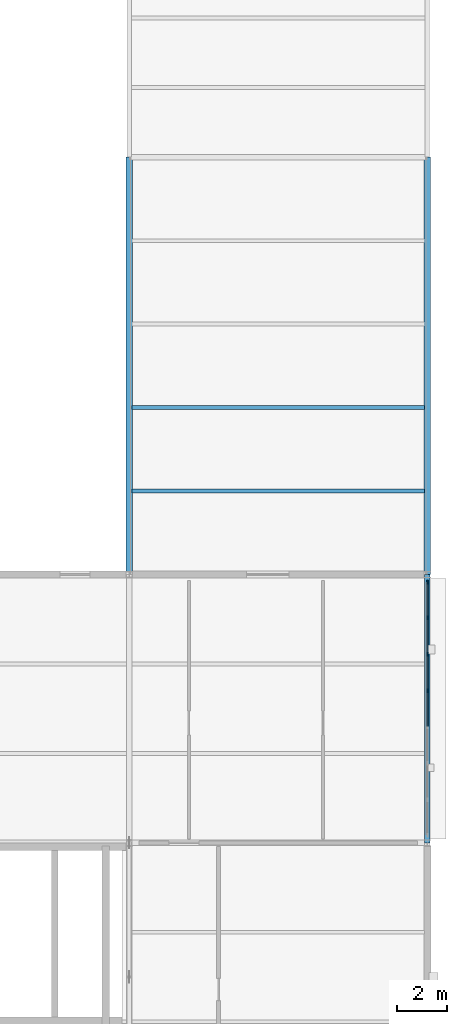
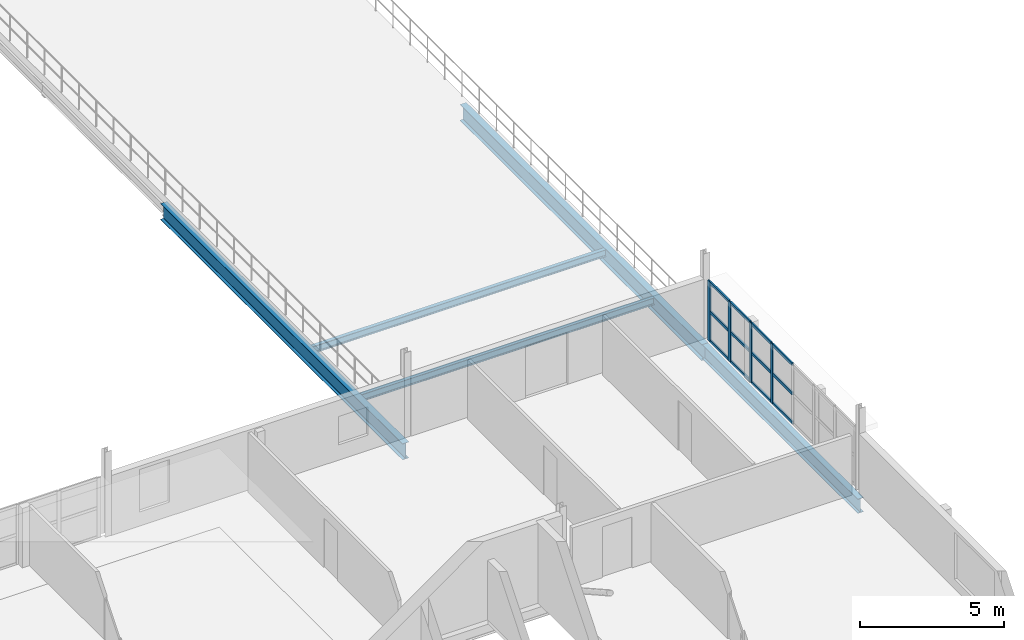
# One storey, part 33 of 62: 16 members, 5 beams, 1 element without a shape of its own.
"""IFC4 building model written with IfcOpenShell, lengths in metres."""

from ifc_helpers import new_model, si_unit, direction, frame, origin, origin_2d, place, context, subcontext, project, spatial, rectangle, i_section, extrude, material, layer, layer_set, material_profile, profile_set, type_object, element, aggregate, save


model = new_model("IFC4")

# Units and contexts
model_context = context("Model", 3, precision=1e-05, world=origin(), true_north=direction((0.0, 1.0)))
body_context = subcontext(model_context, "Body", "Model", "MODEL_VIEW")
ifc_project = project(units=[si_unit("LENGTHUNIT", "METRE"), si_unit("AREAUNIT", "SQUARE_METRE"), si_unit("VOLUMEUNIT", "CUBIC_METRE"), si_unit("PLANEANGLEUNIT", "RADIAN"), si_unit("MASSUNIT", "GRAM", prefix="KILO"), si_unit("THERMODYNAMICTEMPERATUREUNIT", "KELVIN"), si_unit("POWERUNIT", "WATT")], contexts=[model_context])

# Site, building, storey
site_placement = place(None, origin())
site = spatial("IfcSite", under=ifc_project, at=site_placement, CompositionType="ELEMENT")
building_placement = place(site_placement, origin())
building = spatial("IfcBuilding", under=site, at=building_placement, Name="Tembeka Court Mobility Hub", CompositionType="ELEMENT")
storey_placement = place(building_placement, frame((0.0, 0.0, 16.199951171875)))
storey = spatial("IfcBuildingStorey", under=building, at=storey_placement, Name="L04", CompositionType="ELEMENT", Elevation=16.199951171875)

# Beams
ifc_material_1 = material(Name="Steel S355", Category="steel")
ifc_material_profile_1 = material_profile(ifc_material_1, i_section(OverallWidth=0.25390625, OverallDepth=0.68408203125, WebThickness=0.012451171875, FlangeThickness=0.01904296875, FilletRadius=0.01513671875, at=origin_2d()), Name="UKB 686x254x140")
ifc_profile_set_1 = profile_set([ifc_material_profile_1], Name="Steel S355")
beam_type_1 = type_object("IfcBeamType", Name="BM-G01", PredefinedType="USERDEFINED", material=ifc_profile_set_1)
for number, where, z_axis, x_axis, name in (
    (1, (164.39990234375, 21.60009765625, -0.661865234375), (0.0, 1.0, 0.0), (-1.0, 0.0, 0.0), "Beam G01 (BM-L04-Y2428)"),
    (2, (176.39990234375, 21.60009765625, -0.661865234375), (0.0, 1.0, 0.0), (-1.0, 0.0, 0.0), "Beam G01 (BM-L04-Y2434)"),
):
    element("IfcBeam", number, at=place(storey_placement, frame(where, z_axis=z_axis, x_axis=x_axis)), inside=storey, type_object=beam_type_1, Name=name, ObjectType="GIRDER", PredefinedType="USERDEFINED", context=body_context, shape_type="SweptSolid", body=[
        extrude(i_section(OverallWidth=0.25390625, OverallDepth=0.68408203125, WebThickness=0.012451171875, FlangeThickness=0.01904296875, FilletRadius=0.01513671875, at=origin_2d()), origin(), (0.0, 0.0, 1.0), 16.7998046875),
    ])
ifc_material_profile_2 = material_profile(ifc_material_1, i_section(OverallWidth=0.22900390625, OverallDepth=0.612060546875, WebThickness=0.011962890625, FlangeThickness=0.01953125, FilletRadius=0.0126953125, at=origin_2d()), Name="UKB 610x229x125")
ifc_profile_set_2 = profile_set([ifc_material_profile_2], Name="Steel S355")
beam_type_2 = type_object("IfcBeamType", Name="BM-G02", PredefinedType="USERDEFINED", material=ifc_profile_set_2)
beam_placement = place(storey_placement, frame((176.39990234375, 10.800048828125, -0.6259765625), z_axis=(0.0, 1.0, 0.0), x_axis=(-1.0, 0.0, 0.0)))
element("IfcBeam", 3, at=beam_placement, inside=storey, type_object=beam_type_2, Name="Beam G02 (BM-L04-Y2433)", ObjectType="GIRDER", PredefinedType="USERDEFINED", context=body_context, shape_type="SweptSolid", body=[
    extrude(i_section(OverallWidth=0.22900390625, OverallDepth=0.612060546875, WebThickness=0.011962890625, FlangeThickness=0.01953125, FilletRadius=0.0126953125, at=origin_2d()), origin(), (0.0, 0.0, 1.0), 10.800048828125),
])
ifc_material_profile_3 = material_profile(ifc_material_1, i_section(OverallWidth=0.14990234375, OverallDepth=0.300048828125, WebThickness=0.007080078125, FlangeThickness=0.0107421875, FilletRadius=0.014892578125, at=origin_2d()), Name="IPE 300")
ifc_profile_set_3 = profile_set([ifc_material_profile_3], Name="Steel S355")
beam_type_3 = type_object("IfcBeamType", Name="BM-J04", PredefinedType="JOIST", material=ifc_profile_set_3)
for number, where, z_axis, x_axis, name in (
    (4, (164.52197265625, 24.9599609375, -0.469970703125), (1.0, 0.0, 0.0), (0.0, 1.0, 0.0), "Beam J04 (JST-L04-2649)"),
    (5, (164.52197265625, 28.320068359375, -0.469970703125), (1.0, 0.0, 0.0), (0.0, 1.0, 0.0), "Beam J04 (JST-L04-2650)"),
):
    element("IfcBeam", number, at=place(storey_placement, frame(where, z_axis=z_axis, x_axis=x_axis)), inside=storey, type_object=beam_type_3, Name=name, PredefinedType="JOIST", context=body_context, shape_type="SweptSolid", body=[
        extrude(i_section(OverallWidth=0.14990234375, OverallDepth=0.300048828125, WebThickness=0.007080078125, FlangeThickness=0.0107421875, FilletRadius=0.014892578125, at=origin_2d()), origin(), (0.0, 0.0, 1.0), 11.756103515625),
    ])

# Curtain wall, members
ifc_material_2 = material(Name="Anodised aluminium 6063-T6", Category="aluminium")
ifc_layer = layer(ifc_material_2, 0.159912109375)
ifc_layer_set = layer_set([ifc_layer], Name="Anodised aluminium 6063-T6")
curtain_wall_type = type_object("IfcCurtainWallType", Name="CW-SYS42", PredefinedType="USERDEFINED", material=ifc_layer_set)
curtain_wall_placement = place(storey_placement, origin())
curtain_wall = element("IfcCurtainWall", 6, at=curtain_wall_placement, inside=storey, type_object=curtain_wall_type, Name="Unitised curtain wall CW42 (CW-L04-146)", ObjectType="UNITISED GLAZING", PredefinedType="USERDEFINED")
ifc_material_profile_4 = material_profile(ifc_material_2, rectangle(XDim=0.06494140625, YDim=0.159912109375, at=origin_2d()), Name="ALU-MUL 65x160")
ifc_profile_set_4 = profile_set([ifc_material_profile_4], Name="Anodised aluminium 6063-T6")
member_type_1 = type_object("IfcMemberType", Name="CW-MUL01", PredefinedType="MULLION", material=ifc_profile_set_4)
member_1_placement = place(storey_placement, frame((176.39990234375, 16.931396484375, 0.0), z_axis=(0.0, 0.0, 1.0), x_axis=(-1.0, 0.0, 0.0)))
member_1 = element("IfcMember", 7, at=member_1_placement, type_object=member_type_1, Name="CW42 mullion 5", PredefinedType="MULLION", context=body_context, shape_type="SweptSolid", body=[
    extrude(rectangle(XDim=0.06494140625, YDim=0.159912109375, at=origin_2d()), origin(), (0.0, 0.0, 1.0), 2.53515625),
])
member_2_placement = place(storey_placement, frame((176.39990234375, 18.394287109375, 0.0), z_axis=(0.0, 0.0, 1.0), x_axis=(-1.0, 0.0, 0.0)))
member_2 = element("IfcMember", 8, at=member_2_placement, type_object=member_type_1, Name="CW42 mullion 6", PredefinedType="MULLION", context=body_context, shape_type="SweptSolid", body=[
    extrude(rectangle(XDim=0.06494140625, YDim=0.159912109375, at=origin_2d()), origin(), (0.0, 0.0, 1.0), 2.53515625),
])
member_3_placement = place(storey_placement, frame((176.39990234375, 19.857177734375, 0.0), z_axis=(0.0, 0.0, 1.0), x_axis=(-1.0, 0.0, 0.0)))
member_3 = element("IfcMember", 9, at=member_3_placement, type_object=member_type_1, Name="CW42 mullion 7", PredefinedType="MULLION", context=body_context, shape_type="SweptSolid", body=[
    extrude(rectangle(XDim=0.06494140625, YDim=0.159912109375, at=origin_2d()), origin(), (0.0, 0.0, 1.0), 2.53515625),
])
member_4_placement = place(storey_placement, frame((176.39990234375, 21.28759765625, 0.0), z_axis=(0.0, 0.0, 1.0), x_axis=(-1.0, 0.0, 0.0)))
member_4 = element("IfcMember", 10, at=member_4_placement, type_object=member_type_1, Name="CW42 mullion 8", PredefinedType="MULLION", context=body_context, shape_type="SweptSolid", body=[
    extrude(rectangle(XDim=0.06494140625, YDim=0.159912109375, at=origin_2d()), origin(), (0.0, 0.0, 1.0), 2.53515625),
])
ifc_material_profile_5 = material_profile(ifc_material_2, rectangle(XDim=0.06494140625, YDim=0.1201171875, at=origin_2d()), Name="ALU-TRN 65x120")
ifc_profile_set_5 = profile_set([ifc_material_profile_5], Name="Anodised aluminium 6063-T6")
member_type_2 = type_object("IfcMemberType", Name="CW-TRN01", PredefinedType="USERDEFINED", material=ifc_profile_set_5)
member_5_placement = place(storey_placement, frame((176.39990234375, 15.5009765625, 0.032470703125), z_axis=(0.0, 1.0, 0.0), x_axis=(-1.0, 0.0, 0.0)))
member_5 = element("IfcMember", 11, at=member_5_placement, type_object=member_type_2, Name="CW42 transom 4.1", ObjectType="TRANSOM", PredefinedType="USERDEFINED", context=body_context, shape_type="SweptSolid", body=[
    extrude(rectangle(XDim=0.06494140625, YDim=0.1201171875, at=origin_2d()), origin(), (0.0, 0.0, 1.0), 1.39794921875),
])
member_6_placement = place(storey_placement, frame((176.39990234375, 15.5009765625, 1.267578125), z_axis=(0.0, 1.0, 0.0), x_axis=(-1.0, 0.0, 0.0)))
member_6 = element("IfcMember", 12, at=member_6_placement, type_object=member_type_2, Name="CW42 transom 4.2", ObjectType="TRANSOM", PredefinedType="USERDEFINED", context=body_context, shape_type="SweptSolid", body=[
    extrude(rectangle(XDim=0.06494140625, YDim=0.1201171875, at=origin_2d()), origin(), (0.0, 0.0, 1.0), 1.39794921875),
])
member_7_placement = place(storey_placement, frame((176.39990234375, 15.5009765625, 2.50244140625), z_axis=(0.0, 1.0, 0.0), x_axis=(-1.0, 0.0, 0.0)))
member_7 = element("IfcMember", 13, at=member_7_placement, type_object=member_type_2, Name="CW42 transom 4.3", ObjectType="TRANSOM", PredefinedType="USERDEFINED", context=body_context, shape_type="SweptSolid", body=[
    extrude(rectangle(XDim=0.06494140625, YDim=0.1201171875, at=origin_2d()), origin(), (0.0, 0.0, 1.0), 1.39794921875),
])
member_8_placement = place(storey_placement, frame((176.39990234375, 16.9638671875, 0.032470703125), z_axis=(0.0, 1.0, 0.0), x_axis=(-1.0, 0.0, 0.0)))
member_8 = element("IfcMember", 14, at=member_8_placement, type_object=member_type_2, Name="CW42 transom 5.1", ObjectType="TRANSOM", PredefinedType="USERDEFINED", context=body_context, shape_type="SweptSolid", body=[
    extrude(rectangle(XDim=0.06494140625, YDim=0.1201171875, at=origin_2d()), origin(), (0.0, 0.0, 1.0), 1.39794921875),
])
member_9_placement = place(storey_placement, frame((176.39990234375, 16.9638671875, 1.267578125), z_axis=(0.0, 1.0, 0.0), x_axis=(-1.0, 0.0, 0.0)))
member_9 = element("IfcMember", 15, at=member_9_placement, type_object=member_type_2, Name="CW42 transom 5.2", ObjectType="TRANSOM", PredefinedType="USERDEFINED", context=body_context, shape_type="SweptSolid", body=[
    extrude(rectangle(XDim=0.06494140625, YDim=0.1201171875, at=origin_2d()), origin(), (0.0, 0.0, 1.0), 1.39794921875),
])
member_10_placement = place(storey_placement, frame((176.39990234375, 16.9638671875, 2.50244140625), z_axis=(0.0, 1.0, 0.0), x_axis=(-1.0, 0.0, 0.0)))
member_10 = element("IfcMember", 16, at=member_10_placement, type_object=member_type_2, Name="CW42 transom 5.3", ObjectType="TRANSOM", PredefinedType="USERDEFINED", context=body_context, shape_type="SweptSolid", body=[
    extrude(rectangle(XDim=0.06494140625, YDim=0.1201171875, at=origin_2d()), origin(), (0.0, 0.0, 1.0), 1.39794921875),
])
member_11_placement = place(storey_placement, frame((176.39990234375, 18.4267578125, 0.032470703125), z_axis=(0.0, 1.0, 0.0), x_axis=(-1.0, 0.0, 0.0)))
member_11 = element("IfcMember", 17, at=member_11_placement, type_object=member_type_2, Name="CW42 transom 6.1", ObjectType="TRANSOM", PredefinedType="USERDEFINED", context=body_context, shape_type="SweptSolid", body=[
    extrude(rectangle(XDim=0.06494140625, YDim=0.1201171875, at=origin_2d()), origin(), (0.0, 0.0, 1.0), 1.39794921875),
])
member_12_placement = place(storey_placement, frame((176.39990234375, 18.4267578125, 1.267578125), z_axis=(0.0, 1.0, 0.0), x_axis=(-1.0, 0.0, 0.0)))
member_12 = element("IfcMember", 18, at=member_12_placement, type_object=member_type_2, Name="CW42 transom 6.2", ObjectType="TRANSOM", PredefinedType="USERDEFINED", context=body_context, shape_type="SweptSolid", body=[
    extrude(rectangle(XDim=0.06494140625, YDim=0.1201171875, at=origin_2d()), origin(), (0.0, 0.0, 1.0), 1.39794921875),
])
member_13_placement = place(storey_placement, frame((176.39990234375, 18.4267578125, 2.50244140625), z_axis=(0.0, 1.0, 0.0), x_axis=(-1.0, 0.0, 0.0)))
member_13 = element("IfcMember", 19, at=member_13_placement, type_object=member_type_2, Name="CW42 transom 6.3", ObjectType="TRANSOM", PredefinedType="USERDEFINED", context=body_context, shape_type="SweptSolid", body=[
    extrude(rectangle(XDim=0.06494140625, YDim=0.1201171875, at=origin_2d()), origin(), (0.0, 0.0, 1.0), 1.39794921875),
])
member_14_placement = place(storey_placement, frame((176.39990234375, 19.8896484375, 0.032470703125), z_axis=(0.0, 1.0, 0.0), x_axis=(-1.0, 0.0, 0.0)))
member_14 = element("IfcMember", 20, at=member_14_placement, type_object=member_type_2, Name="CW42 transom 7.1", ObjectType="TRANSOM", PredefinedType="USERDEFINED", context=body_context, shape_type="SweptSolid", body=[
    extrude(rectangle(XDim=0.06494140625, YDim=0.1201171875, at=origin_2d()), origin(), (0.0, 0.0, 1.0), 1.365234375),
])
member_15_placement = place(storey_placement, frame((176.39990234375, 19.8896484375, 1.267578125), z_axis=(0.0, 1.0, 0.0), x_axis=(-1.0, 0.0, 0.0)))
member_15 = element("IfcMember", 21, at=member_15_placement, type_object=member_type_2, Name="CW42 transom 7.2", ObjectType="TRANSOM", PredefinedType="USERDEFINED", context=body_context, shape_type="SweptSolid", body=[
    extrude(rectangle(XDim=0.06494140625, YDim=0.1201171875, at=origin_2d()), origin(), (0.0, 0.0, 1.0), 1.365234375),
])
member_16_placement = place(storey_placement, frame((176.39990234375, 19.8896484375, 2.50244140625), z_axis=(0.0, 1.0, 0.0), x_axis=(-1.0, 0.0, 0.0)))
member_16 = element("IfcMember", 22, at=member_16_placement, type_object=member_type_2, Name="CW42 transom 7.3", ObjectType="TRANSOM", PredefinedType="USERDEFINED", context=body_context, shape_type="SweptSolid", body=[
    extrude(rectangle(XDim=0.06494140625, YDim=0.1201171875, at=origin_2d()), origin(), (0.0, 0.0, 1.0), 1.365234375),
])
aggregate(curtain_wall, [member_1, member_2, member_3, member_4, member_5, member_6, member_7, member_8, member_9, member_10, member_11, member_12, member_13, member_14, member_15, member_16])

save(model, "model.ifc")
